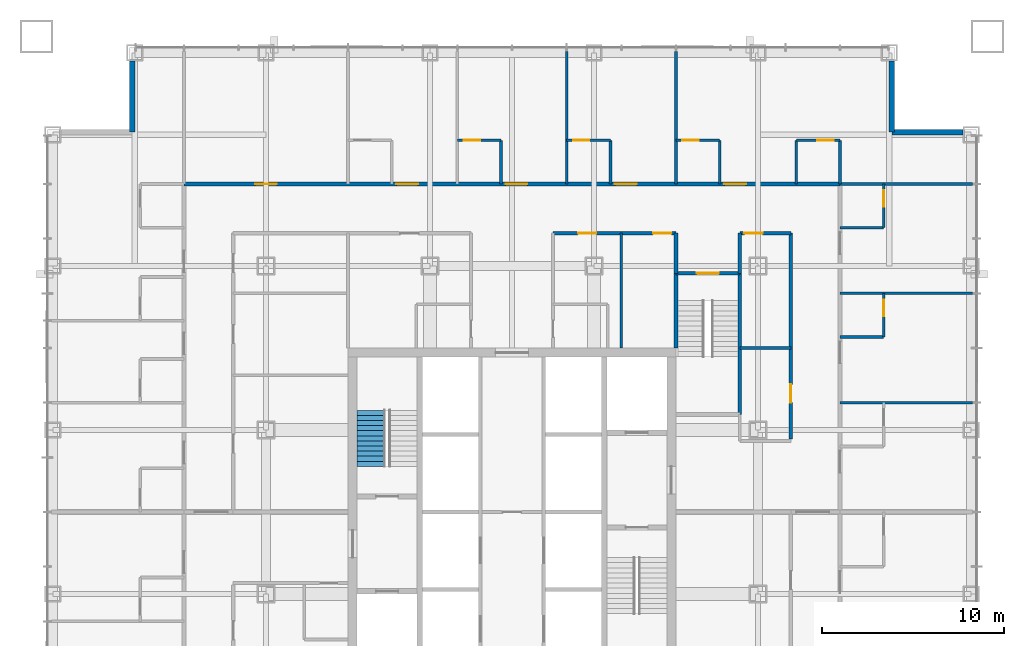
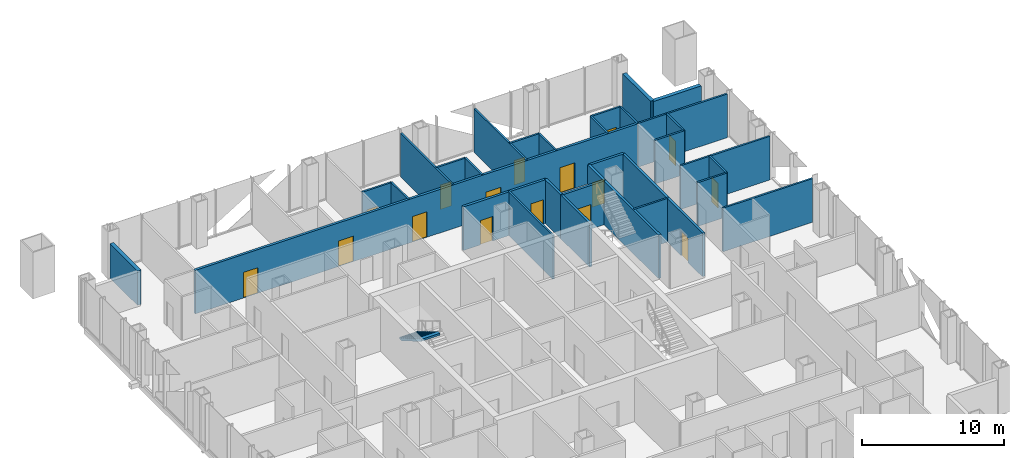
# One storey, part 11 of 14: 32 walls, 16 doors, 1 stair flight, 16 openings, 1 element without a shape of its own.
"""IFC4 building model written with IfcOpenShell, lengths in metres."""

import ifcopenshell
import ifcopenshell.guid

model = None  # the IFC model being written
_history = None  # IfcOwnerHistory: only IFC2X3 demands one
_inside = {}  # id of a spatial element -> (the spatial element, [elements in it])
_under = {}  # id of a project, library or spatial element -> (it, [spatial elements below it])
_declared = {}  # id of a project -> (the project, [libraries it declares])
_typed = {}  # id of a type object -> (the type object, [elements of that type])
_made_of = {}  # id of a material, layer set ... -> (it, [elements and type objects made of it])


def new_model(schema):
    """Start an empty IFC model of exactly this schema.

    Asked for "IFC4X3", IfcOpenShell would pick the latest addendum, in which some entities
    have other attributes; the version numbers below select the first issue.
    IFC2X3 requires an IfcOwnerHistory on every rooted entity: one is made here for all.
    """
    global model, _history
    if schema == "IFC4X3":
        model = ifcopenshell.file(schema_version=(4, 3, 0, 0))
    else:
        model = ifcopenshell.file(schema=schema)
    _inside.clear()
    _under.clear()
    _declared.clear()
    _typed.clear()
    _made_of.clear()
    _history = None
    if model.schema == "IFC2X3":
        org = make("IfcOrganization", Name="unknown")
        user = make(
            "IfcPersonAndOrganization",
            ThePerson=make("IfcPerson", FamilyName="unknown"),
            TheOrganization=org,
        )
        app = make(
            "IfcApplication",
            ApplicationDeveloper=org,
            Version="unknown",
            ApplicationFullName="unknown",
            ApplicationIdentifier="unknown",
        )
        _history = make(
            "IfcOwnerHistory",
            OwningUser=user,
            OwningApplication=app,
            ChangeAction="ADDED",
            CreationDate=0,
        )
    return model


def make(cls, **values):
    """One entity of the class cls with the attributes given. An attribute that is None is left unset."""
    return model.create_entity(
        cls, **{name: value for name, value in values.items() if value is not None}
    )


def rooted(cls, **values):
    """An entity with a GlobalId (a new one), such as an element, a storey or a relation."""
    return make(cls, GlobalId=ifcopenshell.guid.new(), OwnerHistory=_history, **values)


def si_unit(unit_type, name, prefix=None):
    """IfcSIUnit, for example si_unit("LENGTHUNIT", "METRE", prefix="MILLI")."""
    return make("IfcSIUnit", UnitType=unit_type, Prefix=prefix, Name=name)


def assignment(units):
    """IfcUnitAssignment: the units of a project."""
    return None if units is None else make("IfcUnitAssignment", Units=units)


def point(xyz):
    """IfcCartesianPoint."""
    return None if xyz is None else make("IfcCartesianPoint", Coordinates=xyz)


def direction(xyz):
    """IfcDirection."""
    return None if xyz is None else make("IfcDirection", DirectionRatios=xyz)


def frame(location, z_axis=None, x_axis=None):
    """IfcAxis2Placement3D, a coordinate frame: its origin and axes. An axis left out is left unset."""
    return make(
        "IfcAxis2Placement3D",
        Location=point(location),
        Axis=direction(z_axis),
        RefDirection=direction(x_axis),
    )


def frame_2d(location, x_axis=None):
    """IfcAxis2Placement2D, a coordinate frame in the plane: its origin and x axis."""
    return make(
        "IfcAxis2Placement2D", Location=point(location), RefDirection=direction(x_axis)
    )


def origin():
    """The frame at (0, 0, 0) with its axes left unset."""
    return frame((0.0, 0.0, 0.0))


def place(relative_to, where):
    """IfcLocalPlacement: puts the frame where relative to a parent placement (None: the world)."""
    return make(
        "IfcLocalPlacement", PlacementRelTo=relative_to, RelativePlacement=where
    )


def context(
    kind, dimensions, precision=None, world=None, true_north=None, identifier=None
):
    """IfcGeometricRepresentationContext, for example the 3D "Model" context."""
    return make(
        "IfcGeometricRepresentationContext",
        ContextIdentifier=identifier,
        ContextType=kind,
        CoordinateSpaceDimension=dimensions,
        Precision=precision,
        WorldCoordinateSystem=world,
        TrueNorth=true_north,
    )


def subcontext(parent, identifier, kind, view, scale=None):
    """IfcGeometricRepresentationSubContext, for example "Body" below "Model"."""
    return make(
        "IfcGeometricRepresentationSubContext",
        ContextIdentifier=identifier,
        ContextType=kind,
        ParentContext=parent,
        TargetScale=scale,
        TargetView=view,
    )


def project(units=None, contexts=None):
    """IfcProject with its units and contexts."""
    return rooted(
        "IfcProject",
        Name="project",
        RepresentationContexts=contexts,
        UnitsInContext=assignment(units),
    )


def spatial(cls, under=None, at=None, **own):
    """A site, building, storey or space (cls), placed at a placement, below another one or the project."""
    s = rooted(cls, ObjectPlacement=at, **own)
    if under is not None:
        _under.setdefault(under.id(), (under, []))[1].append(s)
    return s


def polyline(points):
    """IfcPolyline through the points."""
    return make("IfcPolyline", Points=[point(p) for p in points])


def profile(cls, at=None, kind="AREA", **sizes):
    """A parametric profile (cls). Its sizes go by their IFC names, for example OverallWidth=200.0."""
    return make(cls, ProfileType=kind, Position=at, **sizes)


def rectangle(**sizes):
    """IfcRectangleProfileDef."""
    return profile("IfcRectangleProfileDef", **sizes)


def outline(outer, holes=None, kind="AREA"):
    """IfcArbitraryClosedProfileDef: a profile drawn as a closed curve; with holes, ...WithVoids."""
    if holes is None:
        return make("IfcArbitraryClosedProfileDef", ProfileType=kind, OuterCurve=outer)
    return make(
        "IfcArbitraryProfileDefWithVoids",
        ProfileType=kind,
        OuterCurve=outer,
        InnerCurves=holes,
    )


def extrude(swept, where, along, depth):
    """IfcExtrudedAreaSolid: the profile swept, set in the frame where, extruded along a direction by depth."""
    return make(
        "IfcExtrudedAreaSolid",
        SweptArea=swept,
        Position=where,
        ExtrudedDirection=direction(along),
        Depth=depth,
    )


def shape(context_of_items, identifier, shape_type, items):
    """IfcShapeRepresentation: the items that make up one representation, for example the "Body"."""
    return make(
        "IfcShapeRepresentation",
        ContextOfItems=context_of_items,
        RepresentationIdentifier=identifier,
        RepresentationType=shape_type,
        Items=items,
    )


def material(Name=None, Category=None):
    """IfcMaterial."""
    return make("IfcMaterial", Name=Name, Category=Category)


def layer(
    of_material, thickness, ventilated=None, Name=None, Category=None, Priority=None
):
    """IfcMaterialLayer: one layer of a wall or slab, of a material (None: an air gap)."""
    return make(
        "IfcMaterialLayer",
        Material=of_material,
        LayerThickness=thickness,
        IsVentilated=ventilated,
        Name=Name,
        Category=Category,
        Priority=Priority,
    )


def layer_set(layers, Name=None):
    """IfcMaterialLayerSet."""
    return make("IfcMaterialLayerSet", MaterialLayers=layers, LayerSetName=Name)


def made_of(thing, what):
    """Note that an element or type object is made of a material, layer set ...; save() writes the relation."""
    if what is not None:
        _made_of.setdefault(what.id(), (what, []))[1].append(thing)
    return thing


def type_object(cls, material=None, **own):
    """A type object (cls), such as IfcWallType, which elements share."""
    return made_of(rooted(cls, **own), material)


def element(
    cls,
    number,
    at=None,
    inside=None,
    cuts=None,
    type_object=None,
    material=None,
    context=None,
    identifier="Body",
    shape_type=None,
    held_by="IfcProductDefinitionShape",
    body=None,
    shapes=None,
    **own,
):
    """One element of the class cls, such as IfcWall. Its Tag is "e" and its number.

    at: its placement. inside: the storey or other place that contains it. cuts: it is an
    opening in that element (IfcRelVoidsElement). A single representation is given by context,
    identifier, shape_type and body (its items); several are given by shapes. held_by: the class
    of the entity that holds the representations. save() writes the other relations.
    """
    e = rooted(cls, Tag="e%d" % number, ObjectPlacement=at, **own)
    if body is not None:
        shapes = [shape(context, identifier, shape_type, body)]
    if shapes is not None:
        e.Representation = make(held_by, Representations=shapes)
    if inside is not None:
        _inside.setdefault(inside.id(), (inside, []))[1].append(e)
    if cuts is not None:
        rooted(
            "IfcRelVoidsElement", RelatingBuildingElement=cuts, RelatedOpeningElement=e
        )
    if type_object is not None:
        _typed.setdefault(type_object.id(), (type_object, []))[1].append(e)
    return made_of(e, material)


def fill(opening, filler):
    """IfcRelFillsElement: the door or window that sits in an opening."""
    return rooted(
        "IfcRelFillsElement",
        RelatingOpeningElement=opening,
        RelatedBuildingElement=filler,
    )


def aggregate(whole, parts):
    """IfcRelAggregates: a whole, such as a stair, and the parts it consists of."""
    return rooted("IfcRelAggregates", RelatingObject=whole, RelatedObjects=parts)


def save(model, path):
    """Write the relations noted so far, then the file.

    IfcRelAggregates (storeys below a building ...), IfcRelContainedInSpatialStructure (elements
    in a storey), IfcRelDefinesByType, IfcRelAssociatesMaterial and IfcRelDeclares: one each for
    every whole, place, type object, material and project.
    """
    for whole, parts in _under.values():
        aggregate(whole, parts)
    for where, things in _inside.values():
        rooted(
            "IfcRelContainedInSpatialStructure",
            RelatedElements=things,
            RelatingStructure=where,
        )
    for kind, things in _typed.values():
        rooted("IfcRelDefinesByType", RelatedObjects=things, RelatingType=kind)
    for what, things in _made_of.values():
        rooted("IfcRelAssociatesMaterial", RelatedObjects=things, RelatingMaterial=what)
    for by, libraries in _declared.values():
        rooted("IfcRelDeclares", RelatingContext=by, RelatedDefinitions=libraries)
    model.write(path)


model = new_model("IFC4")

# Units and contexts
model_context = context("Model", 3, precision=1e-05, world=origin(), true_north=direction((0.0, 1.0)))
body_context = subcontext(model_context, "Body", "Model", "MODEL_VIEW")
ifc_project = project(units=[si_unit("LENGTHUNIT", "METRE"), si_unit("AREAUNIT", "SQUARE_METRE"), si_unit("VOLUMEUNIT", "CUBIC_METRE"), si_unit("PLANEANGLEUNIT", "RADIAN"), si_unit("MASSUNIT", "GRAM", prefix="KILO")], contexts=[model_context])

# Site, building, storey
site_placement = place(None, origin())
site = spatial("IfcSite", under=ifc_project, at=site_placement, CompositionType="ELEMENT")
building_placement = place(site_placement, origin())
building = spatial("IfcBuilding", under=site, at=building_placement, Name="Malebo Sky Hospital", CompositionType="ELEMENT")
storey_placement = place(building_placement, frame((0.0, 0.0, 71.0)))
storey = spatial("IfcBuildingStorey", under=building, at=storey_placement, Name="L16", CompositionType="ELEMENT", Elevation=71.0)

# Wall, openings, doors
ifc_material_1 = material(Name="Gypsum board on steel studs", Category="steel")
ifc_layer_1 = layer(ifc_material_1, 0.199951171875)
ifc_layer_set_1 = layer_set([ifc_layer_1], Name="CORRIDOR WALL 200")
wall_type_1 = type_object("IfcWallType", Name="CORRIDOR WALL 200", PredefinedType="PARTITIONING", material=ifc_layer_set_1)
wall_1_placement = place(storey_placement, frame((42.0, 80.0, 0.0), z_axis=(0.0, 0.0, 1.0), x_axis=(1.0, 0.0, 0.0)))
wall_1 = element("IfcWall", 1, at=wall_1_placement, inside=storey, type_object=wall_type_1, Name="Corridor Wall 200 NCO", PredefinedType="PARTITIONING", context=body_context, shape_type="SweptSolid", body=[
    extrude(rectangle(XDim=36.0, YDim=0.199951171875, at=frame_2d((18.0, 0.0))), origin(), (0.0, 0.0, 1.0), 3.75),
])
opening_1_placement = place(wall_1_placement, frame((3.89990234375, 0.0, 0.0)))
opening_1 = element("IfcOpeningElement", 2, at=opening_1_placement, cuts=wall_1, Name="Opening D01", PredefinedType="OPENING", context=body_context, shape_type="SweptSolid", body=[
    extrude(rectangle(XDim=1.199951171875, YDim=2.199951171875, at=frame_2d((0.60009765625, 1.10009765625))), frame((0.0, 0.10986328125, 0.0), z_axis=(0.0, -1.0, 0.0), x_axis=(1.0, 0.0, 0.0)), (0.0, 0.0, 1.0), 0.219970703125),
])
opening_2_placement = place(wall_1_placement, frame((11.64990234375, 0.0, 0.0)))
opening_2 = element("IfcOpeningElement", 3, at=opening_2_placement, cuts=wall_1, Name="Opening D01", PredefinedType="OPENING", context=body_context, shape_type="SweptSolid", body=[
    extrude(rectangle(XDim=1.199951171875, YDim=2.199951171875, at=frame_2d((0.60009765625, 1.10009765625))), frame((0.0, 0.10986328125, 0.0), z_axis=(0.0, -1.0, 0.0), x_axis=(1.0, 0.0, 0.0)), (0.0, 0.0, 1.0), 0.219970703125),
])
opening_3_placement = place(wall_1_placement, frame((17.64990234375, 0.0, 0.0)))
opening_3 = element("IfcOpeningElement", 4, at=opening_3_placement, cuts=wall_1, Name="Opening D01", PredefinedType="OPENING", context=body_context, shape_type="SweptSolid", body=[
    extrude(rectangle(XDim=1.199951171875, YDim=2.199951171875, at=frame_2d((0.60009765625, 1.10009765625))), frame((0.0, 0.10986328125, 0.0), z_axis=(0.0, -1.0, 0.0), x_axis=(1.0, 0.0, 0.0)), (0.0, 0.0, 1.0), 0.219970703125),
])
opening_4_placement = place(wall_1_placement, frame((23.64990234375, 0.0, 0.0)))
opening_4 = element("IfcOpeningElement", 5, at=opening_4_placement, cuts=wall_1, Name="Opening D01", PredefinedType="OPENING", context=body_context, shape_type="SweptSolid", body=[
    extrude(rectangle(XDim=1.199951171875, YDim=2.199951171875, at=frame_2d((0.60009765625, 1.10009765625))), frame((0.0, 0.10986328125, 0.0), z_axis=(0.0, -1.0, 0.0), x_axis=(1.0, 0.0, 0.0)), (0.0, 0.0, 1.0), 0.219970703125),
])
opening_5_placement = place(wall_1_placement, frame((29.64990234375, 0.0, 0.0)))
opening_5 = element("IfcOpeningElement", 6, at=opening_5_placement, cuts=wall_1, Name="Opening D01", PredefinedType="OPENING", context=body_context, shape_type="SweptSolid", body=[
    extrude(rectangle(XDim=1.199951171875, YDim=2.199951171875, at=frame_2d((0.60009765625, 1.10009765625))), frame((0.0, 0.10986328125, 0.0), z_axis=(0.0, -1.0, 0.0), x_axis=(1.0, 0.0, 0.0)), (0.0, 0.0, 1.0), 0.219970703125),
])
ifc_material_2 = material(Name="Hardwood-faced door leaf in steel frame", Category="steel")
door_type_1 = type_object("IfcDoorType", Name="BED DOOR 1200", OperationType="SINGLE_SWING_LEFT", PredefinedType="DOOR", material=ifc_material_2)
door_1_placement = place(opening_1_placement, origin())
door_1 = element("IfcDoor", 7, at=door_1_placement, inside=storey, type_object=door_type_1, Name="Therapy gym door", OperationType="SINGLE_SWING_LEFT", OverallHeight=2.199951171875, OverallWidth=1.199951171875, PredefinedType="DOOR", context=body_context, shape_type="SweptSolid", body=[
    extrude(rectangle(XDim=1.199951171875, YDim=2.199951171875, at=frame_2d((0.60009765625, 1.10009765625))), frame((0.0, 0.02490234375, 0.0), z_axis=(0.0, -1.0, 0.0), x_axis=(1.0, 0.0, 0.0)), (0.0, 0.0, 1.0), 0.050048828125),
])
fill(opening_1, door_1)
door_2_placement = place(opening_2_placement, origin())
door_2 = element("IfcDoor", 8, at=door_2_placement, inside=storey, type_object=door_type_1, Name="Single bed room door", OperationType="SINGLE_SWING_LEFT", OverallHeight=2.199951171875, OverallWidth=1.199951171875, PredefinedType="DOOR", context=body_context, shape_type="SweptSolid", body=[
    extrude(rectangle(XDim=1.199951171875, YDim=2.199951171875, at=frame_2d((0.60009765625, 1.10009765625))), frame((0.0, 0.02490234375, 0.0), z_axis=(0.0, -1.0, 0.0), x_axis=(1.0, 0.0, 0.0)), (0.0, 0.0, 1.0), 0.050048828125),
])
fill(opening_2, door_2)
door_3_placement = place(opening_3_placement, origin())
door_3 = element("IfcDoor", 9, at=door_3_placement, inside=storey, type_object=door_type_1, Name="Single bed room door", OperationType="SINGLE_SWING_LEFT", OverallHeight=2.199951171875, OverallWidth=1.199951171875, PredefinedType="DOOR", context=body_context, shape_type="SweptSolid", body=[
    extrude(rectangle(XDim=1.199951171875, YDim=2.199951171875, at=frame_2d((0.60009765625, 1.10009765625))), frame((0.0, 0.02490234375, 0.0), z_axis=(0.0, -1.0, 0.0), x_axis=(1.0, 0.0, 0.0)), (0.0, 0.0, 1.0), 0.050048828125),
])
fill(opening_3, door_3)
door_4_placement = place(opening_4_placement, origin())
door_4 = element("IfcDoor", 10, at=door_4_placement, inside=storey, type_object=door_type_1, Name="Two-bed room door", OperationType="SINGLE_SWING_LEFT", OverallHeight=2.199951171875, OverallWidth=1.199951171875, PredefinedType="DOOR", context=body_context, shape_type="SweptSolid", body=[
    extrude(rectangle(XDim=1.199951171875, YDim=2.199951171875, at=frame_2d((0.60009765625, 1.10009765625))), frame((0.0, 0.02490234375, 0.0), z_axis=(0.0, -1.0, 0.0), x_axis=(1.0, 0.0, 0.0)), (0.0, 0.0, 1.0), 0.050048828125),
])
fill(opening_4, door_4)
door_5_placement = place(opening_5_placement, origin())
door_5 = element("IfcDoor", 11, at=door_5_placement, inside=storey, type_object=door_type_1, Name="Four-bed bay door", OperationType="SINGLE_SWING_LEFT", OverallHeight=2.199951171875, OverallWidth=1.199951171875, PredefinedType="DOOR", context=body_context, shape_type="SweptSolid", body=[
    extrude(rectangle(XDim=1.199951171875, YDim=2.199951171875, at=frame_2d((0.60009765625, 1.10009765625))), frame((0.0, 0.02490234375, 0.0), z_axis=(0.0, -1.0, 0.0), x_axis=(1.0, 0.0, 0.0)), (0.0, 0.0, 1.0), 0.050048828125),
])
fill(opening_5, door_5)

wall_2_placement = place(storey_placement, frame((62.25, 77.300048828125, 0.0), z_axis=(0.0, 0.0, 1.0), x_axis=(1.0, 0.0, 0.0)))
wall_2 = element("IfcWall", 12, at=wall_2_placement, inside=storey, type_object=wall_type_1, Name="Corridor Wall 200 NCI2", PredefinedType="PARTITIONING", context=body_context, shape_type="SweptSolid", body=[
    extrude(rectangle(XDim=6.75, YDim=0.199951171875, at=frame_2d((3.375, 0.0))), origin(), (0.0, 0.0, 1.0), 3.75),
])
opening_6_placement = place(wall_2_placement, frame((1.375, 0.0, 0.0)))
opening_6 = element("IfcOpeningElement", 13, at=opening_6_placement, cuts=wall_2, Name="Opening D03", PredefinedType="OPENING", context=body_context, shape_type="SweptSolid", body=[
    extrude(rectangle(XDim=1.0, YDim=2.10009765625, at=frame_2d((0.5, 1.050048828125))), frame((0.0, 0.10986328125, 0.0), z_axis=(0.0, -1.0, 0.0), x_axis=(1.0, 0.0, 0.0)), (0.0, 0.0, 1.0), 0.219970703125),
])
opening_7_placement = place(wall_2_placement, frame((5.5, 0.0, 0.0)))
opening_7 = element("IfcOpeningElement", 14, at=opening_7_placement, cuts=wall_2, Name="Opening D03", PredefinedType="OPENING", context=body_context, shape_type="SweptSolid", body=[
    extrude(rectangle(XDim=1.0, YDim=2.10009765625, at=frame_2d((0.5, 1.050048828125))), frame((0.0, 0.10986328125, 0.0), z_axis=(0.0, -1.0, 0.0), x_axis=(1.0, 0.0, 0.0)), (0.0, 0.0, 1.0), 0.219970703125),
])
door_type_2 = type_object("IfcDoorType", Name="ROOM DOOR 1000", OperationType="SINGLE_SWING_LEFT", PredefinedType="DOOR", material=ifc_material_2)
door_6_placement = place(opening_6_placement, origin())
door_6 = element("IfcDoor", 15, at=door_6_placement, inside=storey, type_object=door_type_2, Name="Linen store door", OperationType="SINGLE_SWING_LEFT", OverallHeight=2.10009765625, OverallWidth=1.0, PredefinedType="DOOR", context=body_context, shape_type="SweptSolid", body=[
    extrude(rectangle(XDim=1.0, YDim=2.10009765625, at=frame_2d((0.5, 1.050048828125))), frame((0.0, 0.02490234375, 0.0), z_axis=(0.0, -1.0, 0.0), x_axis=(1.0, 0.0, 0.0)), (0.0, 0.0, 1.0), 0.050048828125),
])
fill(opening_6, door_6)
door_7_placement = place(opening_7_placement, origin())
door_7 = element("IfcDoor", 16, at=door_7_placement, inside=storey, type_object=door_type_2, Name="Discharge lounge door", OperationType="SINGLE_SWING_RIGHT", OverallHeight=2.10009765625, OverallWidth=1.0, PredefinedType="DOOR", context=body_context, shape_type="SweptSolid", body=[
    extrude(rectangle(XDim=1.0, YDim=2.10009765625, at=frame_2d((0.5, 1.050048828125))), frame((0.0, 0.02490234375, 0.0), z_axis=(0.0, -1.0, 0.0), x_axis=(1.0, 0.0, 0.0)), (0.0, 0.0, 1.0), 0.050048828125),
])
fill(opening_7, door_7)

# Wall, opening, door
wall_3_placement = place(storey_placement, frame((72.5, 77.300048828125, 0.0), z_axis=(0.0, 0.0, 1.0), x_axis=(1.0, 0.0, 0.0)))
wall_3 = element("IfcWall", 17, at=wall_3_placement, inside=storey, type_object=wall_type_1, Name="Corridor Wall 200 NCI2/2", PredefinedType="PARTITIONING", context=body_context, shape_type="SweptSolid", body=[
    extrude(rectangle(XDim=2.800048828125, YDim=0.199951171875, at=frame_2d((1.39990234375, 0.0))), origin(), (0.0, 0.0, 1.0), 3.75),
])
opening_8_placement = place(wall_3_placement, frame((0.25, 0.0, 0.0)))
opening_8 = element("IfcOpeningElement", 18, at=opening_8_placement, cuts=wall_3, Name="Opening D03", PredefinedType="OPENING", context=body_context, shape_type="SweptSolid", body=[
    extrude(rectangle(XDim=1.0, YDim=2.10009765625, at=frame_2d((0.5, 1.050048828125))), frame((0.0, 0.10986328125, 0.0), z_axis=(0.0, -1.0, 0.0), x_axis=(1.0, 0.0, 0.0)), (0.0, 0.0, 1.0), 0.219970703125),
])
door_8_placement = place(opening_8_placement, origin())
door_8 = element("IfcDoor", 19, at=door_8_placement, inside=storey, type_object=door_type_2, Name="Interview room door", OperationType="SINGLE_SWING_LEFT", OverallHeight=2.10009765625, OverallWidth=1.0, PredefinedType="DOOR", context=body_context, shape_type="SweptSolid", body=[
    extrude(rectangle(XDim=1.0, YDim=2.10009765625, at=frame_2d((0.5, 1.050048828125))), frame((0.0, 0.02490234375, 0.0), z_axis=(0.0, -1.0, 0.0), x_axis=(1.0, 0.0, 0.0)), (0.0, 0.0, 1.0), 0.050048828125),
])
fill(opening_8, door_8)

wall_4_placement = place(storey_placement, frame((75.300048828125, 77.300048828125, 0.0), z_axis=(0.0, 0.0, 1.0), x_axis=(0.0, -1.0, 0.0)))
wall_4 = element("IfcWall", 20, at=wall_4_placement, inside=storey, type_object=wall_type_1, Name="Corridor Wall 200 ECI1", PredefinedType="PARTITIONING", context=body_context, shape_type="SweptSolid", body=[
    extrude(rectangle(XDim=11.300048828125, YDim=0.199951171875, at=frame_2d((5.64990234375, 0.0))), origin(), (0.0, 0.0, 1.0), 3.75),
])
opening_9_placement = place(wall_4_placement, frame((8.300048828125, 0.0, 0.0)))
opening_9 = element("IfcOpeningElement", 21, at=opening_9_placement, cuts=wall_4, Name="Opening D03", PredefinedType="OPENING", context=body_context, shape_type="SweptSolid", body=[
    extrude(rectangle(XDim=1.0, YDim=2.10009765625, at=frame_2d((0.5, 1.050048828125))), frame((0.0, 0.10986328125, 0.0), z_axis=(0.0, -1.0, 0.0), x_axis=(1.0, 0.0, 0.0)), (0.0, 0.0, 1.0), 0.219970703125),
])
door_9_placement = place(opening_9_placement, origin())
door_9 = element("IfcDoor", 22, at=door_9_placement, inside=storey, type_object=door_type_2, Name="Ward pantry door", OperationType="SINGLE_SWING_LEFT", OverallHeight=2.10009765625, OverallWidth=1.0, PredefinedType="DOOR", context=body_context, shape_type="SweptSolid", body=[
    extrude(rectangle(XDim=1.0, YDim=2.10009765625, at=frame_2d((0.5, 1.050048828125))), frame((0.0, 0.02490234375, 0.0), z_axis=(0.0, -1.0, 0.0), x_axis=(1.0, 0.0, 0.0)), (0.0, 0.0, 1.0), 0.050048828125),
])
fill(opening_9, door_9)

# Walls
for number, where, z_axis, x_axis, name in (
    (23, (69.0, 75.10009765625, 0.0), (0.0, 0.0, 1.0), (0.0, 1.0, 0.0), "Corridor Wall 200 ST3AW"),
    (24, (72.5, 75.10009765625, 0.0), (0.0, 0.0, 1.0), (0.0, 1.0, 0.0), "Corridor Wall 200 ST3AE"),
):
    element("IfcWall", number, at=place(storey_placement, frame(where, z_axis=z_axis, x_axis=x_axis)), inside=storey, type_object=wall_type_1, Name=name, PredefinedType="PARTITIONING", context=body_context, shape_type="SweptSolid", body=[
        extrude(rectangle(XDim=2.199951171875, YDim=0.199951171875, at=frame_2d((1.10009765625, 0.0))), origin(), (0.0, 0.0, 1.0), 3.75),
    ])
ifc_material_3 = material(Name="Anodised aluminium rainscreen on steel framing", Category="steel")
ifc_layer_2 = layer(ifc_material_3, 0.300048828125)
ifc_layer_set_2 = layer_set([ifc_layer_2], Name="NOTCH RAINSCREEN WALL 300")
wall_type_2 = type_object("IfcWallType", Name="NOTCH RAINSCREEN WALL 300", PredefinedType="ELEMENTEDWALL", material=ifc_layer_set_2)
for number, where, z_axis, x_axis, name in (
    (25, (80.85009765625, 86.75, 0.0), (0.0, 0.0, 1.0), (0.0, -1.0, 0.0), "Notch rainscreen wall N1 L16"),
    (26, (80.85009765625, 82.85009765625, 0.0), (0.0, 0.0, 1.0), (1.0, 0.0, 0.0), "Notch rainscreen wall N2 L16"),
    (27, (39.14990234375, 82.85009765625, 0.0), (0.0, 0.0, 1.0), (0.0, 1.0, 0.0), "Notch rainscreen wall W2 L16"),
):
    element("IfcWall", number, at=place(storey_placement, frame(where, z_axis=z_axis, x_axis=x_axis)), inside=storey, type_object=wall_type_2, Name=name, PredefinedType="ELEMENTEDWALL", context=body_context, shape_type="SweptSolid", body=[
        extrude(rectangle(XDim=3.89990234375, YDim=0.300048828125, at=frame_2d((1.949951171875, 0.0))), origin(), (0.0, 0.0, 1.0), 2.949951171875),
    ])
ifc_layer_3 = layer(ifc_material_1, 0.14990234375)
ifc_layer_set_3 = layer_set([ifc_layer_3], Name="PARTITION 150")
wall_type_3 = type_object("IfcWallType", Name="PARTITION 150", PredefinedType="PARTITIONING", material=ifc_layer_set_3)
for number, where, z_axis, x_axis, name in (
    (28, (63.0, 80.0, 0.0), (0.0, 0.0, 1.0), (0.0, 1.0, 0.0), "Partition 150 NP+3.0"),
    (29, (69.0, 80.0, 0.0), (0.0, 0.0, 1.0), (0.0, 1.0, 0.0), "Partition 150 NP+9.0"),
):
    element("IfcWall", number, at=place(storey_placement, frame(where, z_axis=z_axis, x_axis=x_axis)), inside=storey, type_object=wall_type_3, Name=name, PredefinedType="PARTITIONING", context=body_context, shape_type="SweptSolid", body=[
        extrude(rectangle(XDim=7.27490234375, YDim=0.14990234375, at=frame_2d((3.637451171875, 0.0))), origin(), (0.0, 0.0, 1.0), 3.75),
    ])

# Wall, opening, door
wall_5_placement = place(storey_placement, frame((57.0, 82.39990234375, 0.0), z_axis=(0.0, 0.0, 1.0), x_axis=(1.0, 0.0, 0.0)))
wall_5 = element("IfcWall", 30, at=wall_5_placement, inside=storey, type_object=wall_type_3, Name="Partition 150 NE2F", PredefinedType="PARTITIONING", context=body_context, shape_type="SweptSolid", body=[
    extrude(rectangle(XDim=2.39990234375, YDim=0.14990234375, at=frame_2d((1.199951171875, 0.0))), origin(), (0.0, 0.0, 1.0), 3.75),
])
opening_10_placement = place(wall_5_placement, frame((0.35009765625, 0.0, 0.0)))
opening_10 = element("IfcOpeningElement", 31, at=opening_10_placement, cuts=wall_5, Name="Opening D02", PredefinedType="OPENING", context=body_context, shape_type="SweptSolid", body=[
    extrude(rectangle(XDim=0.89990234375, YDim=2.10009765625, at=frame_2d((0.449951171875, 1.050048828125))), frame((0.0, 0.0849609375, 0.0), z_axis=(0.0, -1.0, 0.0), x_axis=(1.0, 0.0, 0.0)), (0.0, 0.0, 1.0), 0.169921875),
])
door_type_3 = type_object("IfcDoorType", Name="EN-SUITE DOOR 900", OperationType="SINGLE_SWING_LEFT", PredefinedType="DOOR", material=ifc_material_2)
door_10_placement = place(opening_10_placement, origin())
door_10 = element("IfcDoor", 32, at=door_10_placement, inside=storey, type_object=door_type_3, Name="En-suite door", OperationType="SINGLE_SWING_LEFT", OverallHeight=2.10009765625, OverallWidth=0.89990234375, PredefinedType="DOOR", context=body_context, shape_type="SweptSolid", body=[
    extrude(rectangle(XDim=0.89990234375, YDim=2.10009765625, at=frame_2d((0.449951171875, 1.050048828125))), frame((0.0, 0.02490234375, 0.0), z_axis=(0.0, -1.0, 0.0), x_axis=(1.0, 0.0, 0.0)), (0.0, 0.0, 1.0), 0.050048828125),
])
fill(opening_10, door_10)

# Wall
wall_6_placement = place(storey_placement, frame((59.39990234375, 80.0, 0.0), z_axis=(0.0, 0.0, 1.0), x_axis=(0.0, 1.0, 0.0)))
element("IfcWall", 33, at=wall_6_placement, inside=storey, type_object=wall_type_3, Name="Partition 150 NE2S", PredefinedType="PARTITIONING", context=body_context, shape_type="SweptSolid", body=[
    extrude(rectangle(XDim=2.39990234375, YDim=0.14990234375, at=frame_2d((1.199951171875, 0.0))), origin(), (0.0, 0.0, 1.0), 3.75),
])

# Wall, opening, door
wall_7_placement = place(storey_placement, frame((63.0, 82.39990234375, 0.0), z_axis=(0.0, 0.0, 1.0), x_axis=(1.0, 0.0, 0.0)))
wall_7 = element("IfcWall", 34, at=wall_7_placement, inside=storey, type_object=wall_type_3, Name="Partition 150 NE3F", PredefinedType="PARTITIONING", context=body_context, shape_type="SweptSolid", body=[
    extrude(rectangle(XDim=2.39990234375, YDim=0.14990234375, at=frame_2d((1.199951171875, 0.0))), origin(), (0.0, 0.0, 1.0), 3.75),
])
opening_11_placement = place(wall_7_placement, frame((0.35009765625, 0.0, 0.0)))
opening_11 = element("IfcOpeningElement", 35, at=opening_11_placement, cuts=wall_7, Name="Opening D02", PredefinedType="OPENING", context=body_context, shape_type="SweptSolid", body=[
    extrude(rectangle(XDim=0.89990234375, YDim=2.10009765625, at=frame_2d((0.449951171875, 1.050048828125))), frame((0.0, 0.0849609375, 0.0), z_axis=(0.0, -1.0, 0.0), x_axis=(1.0, 0.0, 0.0)), (0.0, 0.0, 1.0), 0.169921875),
])
door_11_placement = place(opening_11_placement, origin())
door_11 = element("IfcDoor", 36, at=door_11_placement, inside=storey, type_object=door_type_3, Name="En-suite door", OperationType="SINGLE_SWING_LEFT", OverallHeight=2.10009765625, OverallWidth=0.89990234375, PredefinedType="DOOR", context=body_context, shape_type="SweptSolid", body=[
    extrude(rectangle(XDim=0.89990234375, YDim=2.10009765625, at=frame_2d((0.449951171875, 1.050048828125))), frame((0.0, 0.02490234375, 0.0), z_axis=(0.0, -1.0, 0.0), x_axis=(1.0, 0.0, 0.0)), (0.0, 0.0, 1.0), 0.050048828125),
])
fill(opening_11, door_11)

# Wall
wall_8_placement = place(storey_placement, frame((65.39990234375, 80.0, 0.0), z_axis=(0.0, 0.0, 1.0), x_axis=(0.0, 1.0, 0.0)))
element("IfcWall", 37, at=wall_8_placement, inside=storey, type_object=wall_type_3, Name="Partition 150 NE3S", PredefinedType="PARTITIONING", context=body_context, shape_type="SweptSolid", body=[
    extrude(rectangle(XDim=2.39990234375, YDim=0.14990234375, at=frame_2d((1.199951171875, 0.0))), origin(), (0.0, 0.0, 1.0), 3.75),
])

# Wall, opening, door
wall_9_placement = place(storey_placement, frame((69.0, 82.39990234375, 0.0), z_axis=(0.0, 0.0, 1.0), x_axis=(1.0, 0.0, 0.0)))
wall_9 = element("IfcWall", 38, at=wall_9_placement, inside=storey, type_object=wall_type_3, Name="Partition 150 NE4F", PredefinedType="PARTITIONING", context=body_context, shape_type="SweptSolid", body=[
    extrude(rectangle(XDim=2.39990234375, YDim=0.14990234375, at=frame_2d((1.199951171875, 0.0))), origin(), (0.0, 0.0, 1.0), 3.75),
])
opening_12_placement = place(wall_9_placement, frame((0.35009765625, 0.0, 0.0)))
opening_12 = element("IfcOpeningElement", 39, at=opening_12_placement, cuts=wall_9, Name="Opening D02", PredefinedType="OPENING", context=body_context, shape_type="SweptSolid", body=[
    extrude(rectangle(XDim=0.89990234375, YDim=2.10009765625, at=frame_2d((0.449951171875, 1.050048828125))), frame((0.0, 0.0849609375, 0.0), z_axis=(0.0, -1.0, 0.0), x_axis=(1.0, 0.0, 0.0)), (0.0, 0.0, 1.0), 0.169921875),
])
door_12_placement = place(opening_12_placement, origin())
door_12 = element("IfcDoor", 40, at=door_12_placement, inside=storey, type_object=door_type_3, Name="En-suite door", OperationType="SINGLE_SWING_LEFT", OverallHeight=2.10009765625, OverallWidth=0.89990234375, PredefinedType="DOOR", context=body_context, shape_type="SweptSolid", body=[
    extrude(rectangle(XDim=0.89990234375, YDim=2.10009765625, at=frame_2d((0.449951171875, 1.050048828125))), frame((0.0, 0.02490234375, 0.0), z_axis=(0.0, -1.0, 0.0), x_axis=(1.0, 0.0, 0.0)), (0.0, 0.0, 1.0), 0.050048828125),
])
fill(opening_12, door_12)

# Wall
wall_10_placement = place(storey_placement, frame((71.39990234375, 80.0, 0.0), z_axis=(0.0, 0.0, 1.0), x_axis=(0.0, 1.0, 0.0)))
element("IfcWall", 41, at=wall_10_placement, inside=storey, type_object=wall_type_3, Name="Partition 150 NE4S", PredefinedType="PARTITIONING", context=body_context, shape_type="SweptSolid", body=[
    extrude(rectangle(XDim=2.39990234375, YDim=0.14990234375, at=frame_2d((1.199951171875, 0.0))), origin(), (0.0, 0.0, 1.0), 3.75),
])

# Wall, opening, door
wall_11_placement = place(storey_placement, frame((75.60009765625, 82.39990234375, 0.0), z_axis=(0.0, 0.0, 1.0), x_axis=(1.0, 0.0, 0.0)))
wall_11 = element("IfcWall", 42, at=wall_11_placement, inside=storey, type_object=wall_type_3, Name="Partition 150 NG4F", PredefinedType="PARTITIONING", context=body_context, shape_type="SweptSolid", body=[
    extrude(rectangle(XDim=2.39990234375, YDim=0.14990234375, at=frame_2d((1.199951171875, 0.0))), origin(), (0.0, 0.0, 1.0), 3.75),
])
opening_13_placement = place(wall_11_placement, frame((1.14990234375, 0.0, 0.0)))
opening_13 = element("IfcOpeningElement", 43, at=opening_13_placement, cuts=wall_11, Name="Opening D02", PredefinedType="OPENING", context=body_context, shape_type="SweptSolid", body=[
    extrude(rectangle(XDim=0.89990234375, YDim=2.10009765625, at=frame_2d((0.449951171875, 1.050048828125))), frame((0.0, 0.0849609375, 0.0), z_axis=(0.0, -1.0, 0.0), x_axis=(1.0, 0.0, 0.0)), (0.0, 0.0, 1.0), 0.169921875),
])
door_13_placement = place(opening_13_placement, origin())
door_13 = element("IfcDoor", 44, at=door_13_placement, inside=storey, type_object=door_type_3, Name="En-suite door", OperationType="SINGLE_SWING_RIGHT", OverallHeight=2.10009765625, OverallWidth=0.89990234375, PredefinedType="DOOR", context=body_context, shape_type="SweptSolid", body=[
    extrude(rectangle(XDim=0.89990234375, YDim=2.10009765625, at=frame_2d((0.449951171875, 1.050048828125))), frame((0.0, 0.02490234375, 0.0), z_axis=(0.0, -1.0, 0.0), x_axis=(1.0, 0.0, 0.0)), (0.0, 0.0, 1.0), 0.050048828125),
])
fill(opening_13, door_13)

# Walls
for number, where, z_axis, x_axis, name in (
    (45, (75.60009765625, 80.0, 0.0), (0.0, 0.0, 1.0), (0.0, 1.0, 0.0), "Partition 150 NG4S"),
    (46, (78.0, 80.0, 0.0), (0.0, 0.0, 1.0), (0.0, 1.0, 0.0), "Partition 150 NEZ"),
):
    element("IfcWall", number, at=place(storey_placement, frame(where, z_axis=z_axis, x_axis=x_axis)), inside=storey, type_object=wall_type_3, Name=name, PredefinedType="PARTITIONING", context=body_context, shape_type="SweptSolid", body=[
        extrude(rectangle(XDim=2.39990234375, YDim=0.14990234375, at=frame_2d((1.199951171875, 0.0))), origin(), (0.0, 0.0, 1.0), 3.75),
    ])
wall_12_placement = place(storey_placement, frame((66.0, 71.0, 0.0), z_axis=(0.0, 0.0, 1.0), x_axis=(0.0, 1.0, 0.0)))
element("IfcWall", 47, at=wall_12_placement, inside=storey, type_object=wall_type_3, Name="Partition 150 NSP+6.0", PredefinedType="PARTITIONING", context=body_context, shape_type="SweptSolid", body=[
    extrude(rectangle(XDim=6.300048828125, YDim=0.14990234375, at=frame_2d((3.14990234375, 0.0))), origin(), (0.0, 0.0, 1.0), 3.75),
])
for number, where, z_axis, x_axis, name in (
    (48, (78.0, 74.0, 0.0), (0.0, 0.0, 1.0), (1.0, 0.0, 0.0), "Partition 150 EP-12.0"),
    (49, (78.0, 68.0, 0.0), (0.0, 0.0, 1.0), (1.0, 0.0, 0.0), "Partition 150 EP-6.0"),
    (50, (78.0, 80.0, 0.0), (0.0, 0.0, 1.0), (1.0, 0.0, 0.0), "Partition 150 EP0"),
):
    element("IfcWall", number, at=place(storey_placement, frame(where, z_axis=z_axis, x_axis=x_axis)), inside=storey, type_object=wall_type_3, Name=name, PredefinedType="PARTITIONING", context=body_context, shape_type="SweptSolid", body=[
        extrude(rectangle(XDim=7.27490234375, YDim=0.14990234375, at=frame_2d((3.637451171875, 0.0))), origin(), (0.0, 0.0, 1.0), 3.75),
    ])

# Wall, opening, door
wall_13_placement = place(storey_placement, frame((80.39990234375, 80.0, 0.0), z_axis=(0.0, 0.0, 1.0), x_axis=(0.0, -1.0, 0.0)))
wall_13 = element("IfcWall", 51, at=wall_13_placement, inside=storey, type_object=wall_type_3, Name="Partition 150 EE0F", PredefinedType="PARTITIONING", context=body_context, shape_type="SweptSolid", body=[
    extrude(rectangle(XDim=2.39990234375, YDim=0.14990234375, at=frame_2d((1.199951171875, 0.0))), origin(), (0.0, 0.0, 1.0), 3.75),
])
opening_14_placement = place(wall_13_placement, frame((0.35009765625, 0.0, 0.0)))
opening_14 = element("IfcOpeningElement", 52, at=opening_14_placement, cuts=wall_13, Name="Opening D02", PredefinedType="OPENING", context=body_context, shape_type="SweptSolid", body=[
    extrude(rectangle(XDim=0.89990234375, YDim=2.10009765625, at=frame_2d((0.449951171875, 1.050048828125))), frame((0.0, 0.0849609375, 0.0), z_axis=(0.0, -1.0, 0.0), x_axis=(1.0, 0.0, 0.0)), (0.0, 0.0, 1.0), 0.169921875),
])
door_14_placement = place(opening_14_placement, origin())
door_14 = element("IfcDoor", 53, at=door_14_placement, inside=storey, type_object=door_type_3, Name="En-suite door", OperationType="SINGLE_SWING_LEFT", OverallHeight=2.10009765625, OverallWidth=0.89990234375, PredefinedType="DOOR", context=body_context, shape_type="SweptSolid", body=[
    extrude(rectangle(XDim=0.89990234375, YDim=2.10009765625, at=frame_2d((0.449951171875, 1.050048828125))), frame((0.0, 0.02490234375, 0.0), z_axis=(0.0, -1.0, 0.0), x_axis=(1.0, 0.0, 0.0)), (0.0, 0.0, 1.0), 0.050048828125),
])
fill(opening_14, door_14)

# Wall
wall_14_placement = place(storey_placement, frame((78.0, 77.60009765625, 0.0), z_axis=(0.0, 0.0, 1.0), x_axis=(1.0, 0.0, 0.0)))
element("IfcWall", 54, at=wall_14_placement, inside=storey, type_object=wall_type_3, Name="Partition 150 EE0S", PredefinedType="PARTITIONING", context=body_context, shape_type="SweptSolid", body=[
    extrude(rectangle(XDim=2.39990234375, YDim=0.14990234375, at=frame_2d((1.199951171875, 0.0))), origin(), (0.0, 0.0, 1.0), 3.75),
])

# Wall, opening, door
wall_15_placement = place(storey_placement, frame((80.39990234375, 74.0, 0.0), z_axis=(0.0, 0.0, 1.0), x_axis=(0.0, -1.0, 0.0)))
wall_15 = element("IfcWall", 55, at=wall_15_placement, inside=storey, type_object=wall_type_3, Name="Partition 150 EE1F", PredefinedType="PARTITIONING", context=body_context, shape_type="SweptSolid", body=[
    extrude(rectangle(XDim=2.39990234375, YDim=0.14990234375, at=frame_2d((1.199951171875, 0.0))), origin(), (0.0, 0.0, 1.0), 3.75),
])
opening_15_placement = place(wall_15_placement, frame((0.35009765625, 0.0, 0.0)))
opening_15 = element("IfcOpeningElement", 56, at=opening_15_placement, cuts=wall_15, Name="Opening D02", PredefinedType="OPENING", context=body_context, shape_type="SweptSolid", body=[
    extrude(rectangle(XDim=0.89990234375, YDim=2.10009765625, at=frame_2d((0.449951171875, 1.050048828125))), frame((0.0, 0.0849609375, 0.0), z_axis=(0.0, -1.0, 0.0), x_axis=(1.0, 0.0, 0.0)), (0.0, 0.0, 1.0), 0.169921875),
])
door_15_placement = place(opening_15_placement, origin())
door_15 = element("IfcDoor", 57, at=door_15_placement, inside=storey, type_object=door_type_3, Name="En-suite door", OperationType="SINGLE_SWING_LEFT", OverallHeight=2.10009765625, OverallWidth=0.89990234375, PredefinedType="DOOR", context=body_context, shape_type="SweptSolid", body=[
    extrude(rectangle(XDim=0.89990234375, YDim=2.10009765625, at=frame_2d((0.449951171875, 1.050048828125))), frame((0.0, 0.02490234375, 0.0), z_axis=(0.0, -1.0, 0.0), x_axis=(1.0, 0.0, 0.0)), (0.0, 0.0, 1.0), 0.050048828125),
])
fill(opening_15, door_15)

# Walls
wall_16_placement = place(storey_placement, frame((78.0, 71.60009765625, 0.0), z_axis=(0.0, 0.0, 1.0), x_axis=(1.0, 0.0, 0.0)))
element("IfcWall", 58, at=wall_16_placement, inside=storey, type_object=wall_type_3, Name="Partition 150 EE1S", PredefinedType="PARTITIONING", context=body_context, shape_type="SweptSolid", body=[
    extrude(rectangle(XDim=2.39990234375, YDim=0.14990234375, at=frame_2d((1.199951171875, 0.0))), origin(), (0.0, 0.0, 1.0), 3.75),
])
wall_17_placement = place(storey_placement, frame((72.5, 71.0, 0.0), z_axis=(0.0, 0.0, 1.0), x_axis=(1.0, 0.0, 0.0)))
element("IfcWall", 59, at=wall_17_placement, inside=storey, type_object=wall_type_3, Name="Partition 150 ESP0", PredefinedType="PARTITIONING", context=body_context, shape_type="SweptSolid", body=[
    extrude(rectangle(XDim=2.800048828125, YDim=0.14990234375, at=frame_2d((1.39990234375, 0.0))), origin(), (0.0, 0.0, 1.0), 3.75),
])
ifc_material_4 = material(Name="Concrete C40/50", Category="concrete")
ifc_layer_4 = layer(ifc_material_4, 0.199951171875)
ifc_layer_set_4 = layer_set([ifc_layer_4], Name="STAIR ENCLOSURE WALL 200")
wall_type_4 = type_object("IfcWallType", Name="STAIR ENCLOSURE WALL 200", PredefinedType="SOLIDWALL", material=ifc_layer_set_4)
wall_18_placement = place(storey_placement, frame((69.0, 71.0, 0.0), z_axis=(0.0, 0.0, 1.0), x_axis=(0.0, 1.0, 0.0)))
element("IfcWall", 60, at=wall_18_placement, inside=storey, type_object=wall_type_4, Name="Stair Enclosure Wall 200 ST3W", PredefinedType="SOLIDWALL", context=body_context, shape_type="SweptSolid", body=[
    extrude(rectangle(XDim=4.10009765625, YDim=0.199951171875, at=frame_2d((2.050048828125, 0.0))), origin(), (0.0, 0.0, 1.0), 3.75),
])
wall_19_placement = place(storey_placement, frame((72.5, 67.35009765625, 0.0), z_axis=(0.0, 0.0, 1.0), x_axis=(0.0, 1.0, 0.0)))
element("IfcWall", 61, at=wall_19_placement, inside=storey, type_object=wall_type_4, Name="Stair Enclosure Wall 200 ST3E", PredefinedType="SOLIDWALL", context=body_context, shape_type="SweptSolid", body=[
    extrude(rectangle(XDim=7.75, YDim=0.199951171875, at=frame_2d((3.875, 0.0))), origin(), (0.0, 0.0, 1.0), 3.75),
])

# Wall, opening, door
wall_20_placement = place(storey_placement, frame((69.0, 75.10009765625, 0.0), z_axis=(0.0, 0.0, 1.0), x_axis=(1.0, 0.0, 0.0)))
wall_20 = element("IfcWall", 62, at=wall_20_placement, inside=storey, type_object=wall_type_4, Name="Stair Enclosure Wall 200 ST3N", PredefinedType="SOLIDWALL", context=body_context, shape_type="SweptSolid", body=[
    extrude(rectangle(XDim=3.5, YDim=0.199951171875, at=frame_2d((1.75, 0.0))), origin(), (0.0, 0.0, 1.0), 3.75),
])
opening_16_placement = place(wall_20_placement, frame((1.14990234375, 0.0, 0.0)))
opening_16 = element("IfcOpeningElement", 63, at=opening_16_placement, cuts=wall_20, Name="Opening D08", PredefinedType="OPENING", context=body_context, shape_type="SweptSolid", body=[
    extrude(rectangle(XDim=1.199951171875, YDim=2.10009765625, at=frame_2d((0.60009765625, 1.050048828125))), frame((0.0, 0.10986328125, 0.0), z_axis=(0.0, -1.0, 0.0), x_axis=(1.0, 0.0, 0.0)), (0.0, 0.0, 1.0), 0.219970703125),
])
door_type_4 = type_object("IfcDoorType", Name="STAIR DOOR 1200", OperationType="SINGLE_SWING_LEFT", PredefinedType="DOOR", material=ifc_material_2)
door_16_placement = place(opening_16_placement, origin())
door_16 = element("IfcDoor", 64, at=door_16_placement, inside=storey, type_object=door_type_4, Name="Stair S3 door", OperationType="SINGLE_SWING_LEFT", OverallHeight=2.10009765625, OverallWidth=1.199951171875, PredefinedType="DOOR", context=body_context, shape_type="SweptSolid", body=[
    extrude(rectangle(XDim=1.199951171875, YDim=2.10009765625, at=frame_2d((0.60009765625, 1.050048828125))), frame((0.0, 0.02490234375, 0.0), z_axis=(0.0, -1.0, 0.0), x_axis=(1.0, 0.0, 0.0)), (0.0, 0.0, 1.0), 0.050048828125),
])
fill(opening_16, door_16)

# Stair, stair flight
stair_type = type_object("IfcStairType", Name="HALF-TURN STAIR 1500 R167", PredefinedType="HALF_TURN_STAIR", material=ifc_material_4)
stair_placement = place(storey_placement, origin())
stair = element("IfcStair", 65, at=stair_placement, inside=storey, type_object=stair_type, Name="Stair S1 L16 type ST1", PredefinedType="HALF_TURN_STAIR")
stair_flight_type = type_object("IfcStairFlightType", Name="STAIR FLIGHT 1500 R167", PredefinedType="STRAIGHT", material=ifc_material_4)
stair_flight_placement = place(storey_placement, frame((52.25, 67.580078125, 2.0), z_axis=(0.0, 0.0, 1.0), x_axis=(0.0, -1.0, 0.0)))
stair_flight = element("IfcStairFlight", 66, at=stair_flight_placement, type_object=stair_flight_type, Name="S1 flight 2 type SF1", NumberOfRisers=12, NumberOfTreads=11, PredefinedType="STRAIGHT", RiserHeight=0.166666667, TreadLength=0.28, context=body_context, shape_type="SweptSolid", body=[
    extrude(outline(polyline([(0.0, 0.0), (0.0, 0.166748046875), (0.280029296875, 0.166748046875), (0.280029296875, 0.333251953125), (0.56005859375, 0.333251953125), (0.56005859375, 0.5), (0.840087890625, 0.5), (0.840087890625, 0.666748046875), (1.1201171875, 0.666748046875), (1.1201171875, 0.833251953125), (1.39990234375, 0.833251953125), (1.39990234375, 1.0), (1.679931640625, 1.0), (1.679931640625, 1.166748046875), (1.9599609375, 1.166748046875), (1.9599609375, 1.333251953125), (2.239990234375, 1.333251953125), (2.239990234375, 1.5), (2.52001953125, 1.5), (2.52001953125, 1.666748046875), (2.800048828125, 1.666748046875), (2.800048828125, 1.833251953125), (3.080078125, 1.833251953125), (3.080078125, 2.0), (3.080078125, 1.658935546875), (0.29296875, 0.0), (0.0, 0.0)])), frame((0.0, 0.75, 0.0), z_axis=(0.0, -1.0, 0.0), x_axis=(1.0, 0.0, 0.0)), (0.0, 0.0, 1.0), 1.5),
])
aggregate(stair, [stair_flight])

save(model, "model.ifc")
